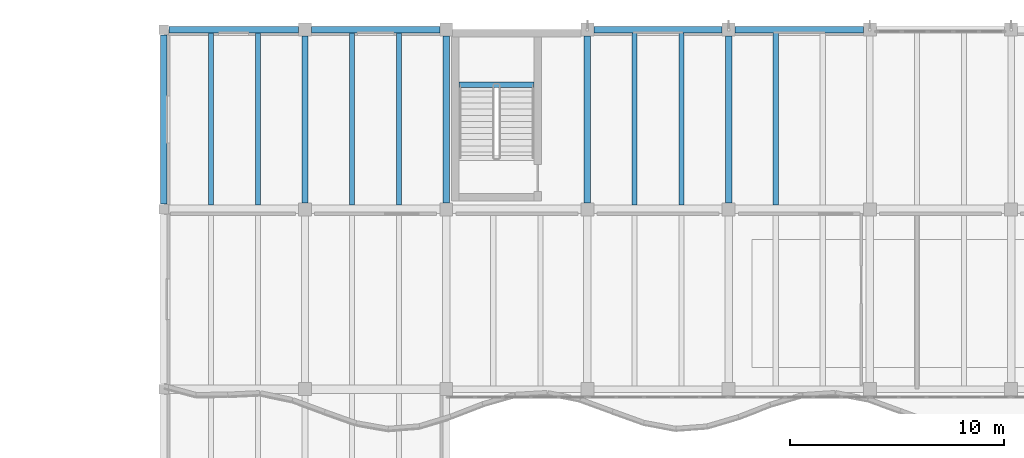
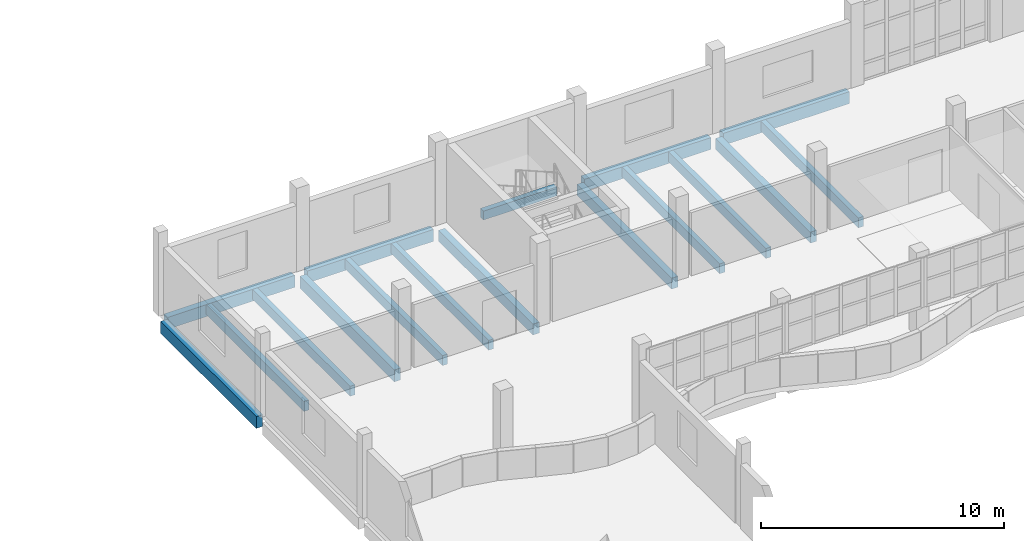
# One storey, part 12 of 74: 17 beams.
"""IFC4 building model written with IfcOpenShell, lengths in metres."""

from ifc_helpers import new_model, si_unit, direction, frame, origin, origin_2d, place, context, subcontext, project, spatial, rectangle, extrude, material, material_profile, profile_set, type_object, element, save


model = new_model("IFC4")

# Units and contexts
model_context = context("Model", 3, precision=1e-05, world=origin(), true_north=direction((0.0, 1.0)))
body_context = subcontext(model_context, "Body", "Model", "MODEL_VIEW")
ifc_project = project(units=[si_unit("LENGTHUNIT", "METRE"), si_unit("AREAUNIT", "SQUARE_METRE"), si_unit("VOLUMEUNIT", "CUBIC_METRE"), si_unit("PLANEANGLEUNIT", "RADIAN"), si_unit("MASSUNIT", "GRAM", prefix="KILO")], contexts=[model_context])

# Site, building, storey
site_placement = place(None, origin())
site = spatial("IfcSite", under=ifc_project, at=site_placement, CompositionType="ELEMENT")
building_placement = place(site_placement, origin())
building = spatial("IfcBuilding", under=site, at=building_placement, Name="Qaldarim Faculty of Natural and Applied Sciences", CompositionType="ELEMENT")
storey_placement = place(building_placement, frame((0.0, 0.0, 14.39990234375)))
storey = spatial("IfcBuildingStorey", under=building, at=storey_placement, Name="L03", CompositionType="ELEMENT", Elevation=14.39990234375)

# Beams
ifc_material_1 = material(Name="Concrete C40/50", Category="concrete")
ifc_material_profile_1 = material_profile(ifc_material_1, rectangle(XDim=0.300048828125, YDim=0.550048828125, at=origin_2d()), Name="RC-B300x550")
ifc_profile_set_1 = profile_set([ifc_material_profile_1], Name="Concrete C40/50")
beam_type_1 = type_object("IfcBeamType", Name="FloorBeam-RC300x550", PredefinedType="BEAM", material=ifc_profile_set_1)
for number, where, z_axis, x_axis, name in (
    (1, (46.199951171875, 109.5, -0.534912109375), (0.0, 1.0, 0.0), (-1.0, 0.0, 0.0), "Beam RC-B300x550 L02 X08/Y14-Y15"),
    (2, (52.800048828125, 109.5, -0.534912109375), (0.0, 1.0, 0.0), (-1.0, 0.0, 0.0), "Beam RC-B300x550 L02 X09/Y14-Y15"),
    (3, (59.39990234375, 109.5, -0.534912109375), (0.0, 1.0, 0.0), (-1.0, 0.0, 0.0), "Beam RC-B300x550 L02 X10/Y14-Y15"),
):
    element("IfcBeam", number, at=place(storey_placement, frame(where, z_axis=z_axis, x_axis=x_axis)), inside=storey, type_object=beam_type_1, Name=name, PredefinedType="BEAM", context=body_context, shape_type="SweptSolid", body=[
        extrude(rectangle(XDim=0.300048828125, YDim=0.550048828125, at=origin_2d()), origin(), (0.0, 0.0, 1.0), 7.800048828125),
    ])
ifc_material_profile_2 = material_profile(ifc_material_1, rectangle(XDim=0.239990234375, YDim=0.5, at=origin_2d()), Name="RC-J240x500")
ifc_profile_set_2 = profile_set([ifc_material_profile_2], Name="Concrete C40/50")
beam_type_2 = type_object("IfcBeamType", Name="HeavyJoist-RC240x500", PredefinedType="JOIST", material=ifc_profile_set_2)
for number, where, z_axis, x_axis, name in (
    (4, (35.199951171875, 109.39990234375, -0.510009765625), (0.0, 1.0, 0.0), (-1.0, 0.0, 0.0), "Laboratory joist L02 bay X06Y14-1"),
    (5, (37.39990234375, 109.39990234375, -0.510009765625), (0.0, 1.0, 0.0), (-1.0, 0.0, 0.0), "Laboratory joist L02 bay X06Y14-2"),
    (6, (41.800048828125, 109.39990234375, -0.510009765625), (0.0, 1.0, 0.0), (-1.0, 0.0, 0.0), "Laboratory joist L02 bay X07Y14-1"),
    (7, (44.0, 109.39990234375, -0.510009765625), (0.0, 1.0, 0.0), (-1.0, 0.0, 0.0), "Laboratory joist L02 bay X07Y14-2"),
    (8, (55.0, 109.39990234375, -0.510009765625), (0.0, 1.0, 0.0), (-1.0, 0.0, 0.0), "Laboratory joist L02 bay X09Y14-1"),
    (9, (57.199951171875, 109.39990234375, -0.510009765625), (0.0, 1.0, 0.0), (-1.0, 0.0, 0.0), "Laboratory joist L02 bay X09Y14-2"),
    (10, (61.60009765625, 109.39990234375, -0.510009765625), (0.0, 1.0, 0.0), (-1.0, 0.0, 0.0), "Laboratory joist L02 bay X10Y14-1"),
):
    element("IfcBeam", number, at=place(storey_placement, frame(where, z_axis=z_axis, x_axis=x_axis)), inside=storey, type_object=beam_type_2, Name=name, PredefinedType="JOIST", context=body_context, shape_type="SweptSolid", body=[
        extrude(rectangle(XDim=0.239990234375, YDim=0.5, at=origin_2d()), origin(), (0.0, 0.0, 1.0), 8.050048828125),
    ])
ifc_material_profile_3 = material_profile(ifc_material_1, rectangle(XDim=0.25, YDim=0.449951171875, at=origin_2d()), Name="RC-LN250x450")
ifc_profile_set_3 = profile_set([ifc_material_profile_3], Name="Concrete C40/50")
beam_type_3 = type_object("IfcBeamType", Name="LandingSupportBeam-RC250x450", PredefinedType="BEAM", material=ifc_profile_set_3)
beam_1_placement = place(storey_placement, frame((46.800048828125, 115.02001953125, 1.6650390625), z_axis=(1.0, 0.0, 0.0), x_axis=(0.0, 1.0, 0.0)))
element("IfcBeam", 11, at=beam_1_placement, inside=storey, type_object=beam_type_3, Name="Stair landing support beam ST-B2 L03", PredefinedType="BEAM", context=body_context, shape_type="SweptSolid", body=[
    extrude(rectangle(XDim=0.25, YDim=0.449951171875, at=origin_2d()), origin(), (0.0, 0.0, 1.0), 3.5),
])
ifc_material_2 = material(Name="Precast concrete C40/50", Category="concrete")
ifc_material_profile_4 = material_profile(ifc_material_2, rectangle(XDim=0.300048828125, YDim=0.60009765625, at=origin_2d()), Name="RC-SP300x600")
ifc_profile_set_4 = profile_set([ifc_material_profile_4], Name="Precast concrete C40/50")
beam_type_4 = type_object("IfcBeamType", Name="SpandrelBeam-RC300x600", PredefinedType="SPANDREL", material=ifc_profile_set_4)
beam_2_placement = place(storey_placement, frame((33.25, 117.60009765625, -0.559814453125), z_axis=(1.0, 0.0, 0.0), x_axis=(0.0, 1.0, 0.0)))
element("IfcBeam", 12, at=beam_2_placement, inside=storey, type_object=beam_type_4, Name="Beam RC-SP300x600 L02 X06-X07/Y15", PredefinedType="SPANDREL", context=body_context, shape_type="SweptSolid", body=[
    extrude(rectangle(XDim=0.300048828125, YDim=0.60009765625, at=origin_2d()), origin(), (0.0, 0.0, 1.0), 6.050048828125),
])
for number, where, z_axis, x_axis, name in (
    (13, (39.89990234375, 117.60009765625, -0.559814453125), (1.0, 0.0, 0.0), (0.0, 1.0, 0.0), "Beam RC-SP300x600 L02 X07-X08/Y15"),
    (14, (53.10009765625, 117.60009765625, -0.559814453125), (1.0, 0.0, 0.0), (0.0, 1.0, 0.0), "Beam RC-SP300x600 L02 X09-X10/Y15"),
    (15, (59.699951171875, 117.60009765625, -0.559814453125), (1.0, 0.0, 0.0), (0.0, 1.0, 0.0), "Beam RC-SP300x600 L02 X10-X11/Y15"),
):
    element("IfcBeam", number, at=place(storey_placement, frame(where, z_axis=z_axis, x_axis=x_axis)), inside=storey, type_object=beam_type_4, Name=name, PredefinedType="SPANDREL", context=body_context, shape_type="SweptSolid", body=[
        extrude(rectangle(XDim=0.300048828125, YDim=0.60009765625, at=origin_2d()), origin(), (0.0, 0.0, 1.0), 6.0),
    ])
beam_3_placement = place(storey_placement, frame((33.0, 109.449951171875, -0.559814453125), z_axis=(0.0, 1.0, 0.0), x_axis=(-1.0, 0.0, 0.0)))
element("IfcBeam", 16, at=beam_3_placement, inside=storey, type_object=beam_type_4, Name="Beam RC-SP300x600 L02 X06/Y14-Y15", PredefinedType="SPANDREL", context=body_context, shape_type="SweptSolid", body=[
    extrude(rectangle(XDim=0.300048828125, YDim=0.60009765625, at=origin_2d()), origin(), (0.0, 0.0, 1.0), 7.900146484375),
])
beam_4_placement = place(storey_placement, frame((39.60009765625, 109.5, -0.559814453125), z_axis=(0.0, 1.0, 0.0), x_axis=(-1.0, 0.0, 0.0)))
element("IfcBeam", 17, at=beam_4_placement, inside=storey, type_object=beam_type_4, Name="Beam RC-SP300x600 L02 X07/Y14-Y15", PredefinedType="SPANDREL", context=body_context, shape_type="SweptSolid", body=[
    extrude(rectangle(XDim=0.300048828125, YDim=0.60009765625, at=origin_2d()), origin(), (0.0, 0.0, 1.0), 7.800048828125),
])

save(model, "model.ifc")
